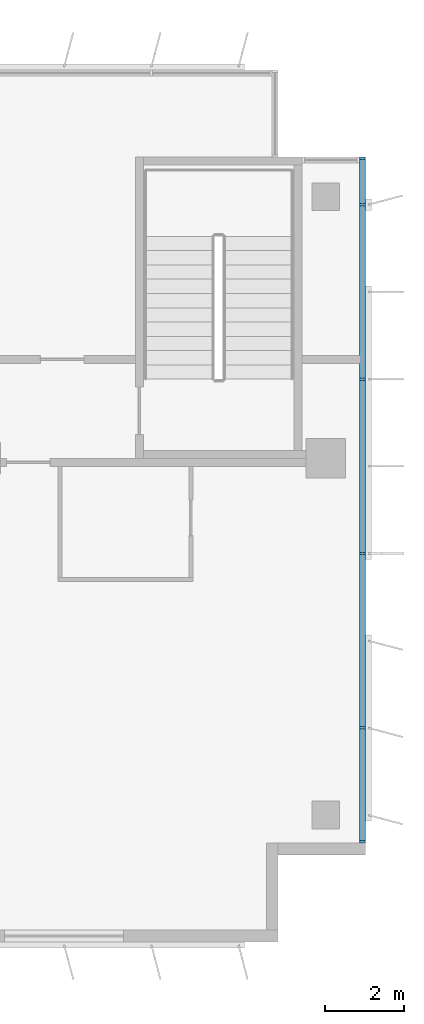
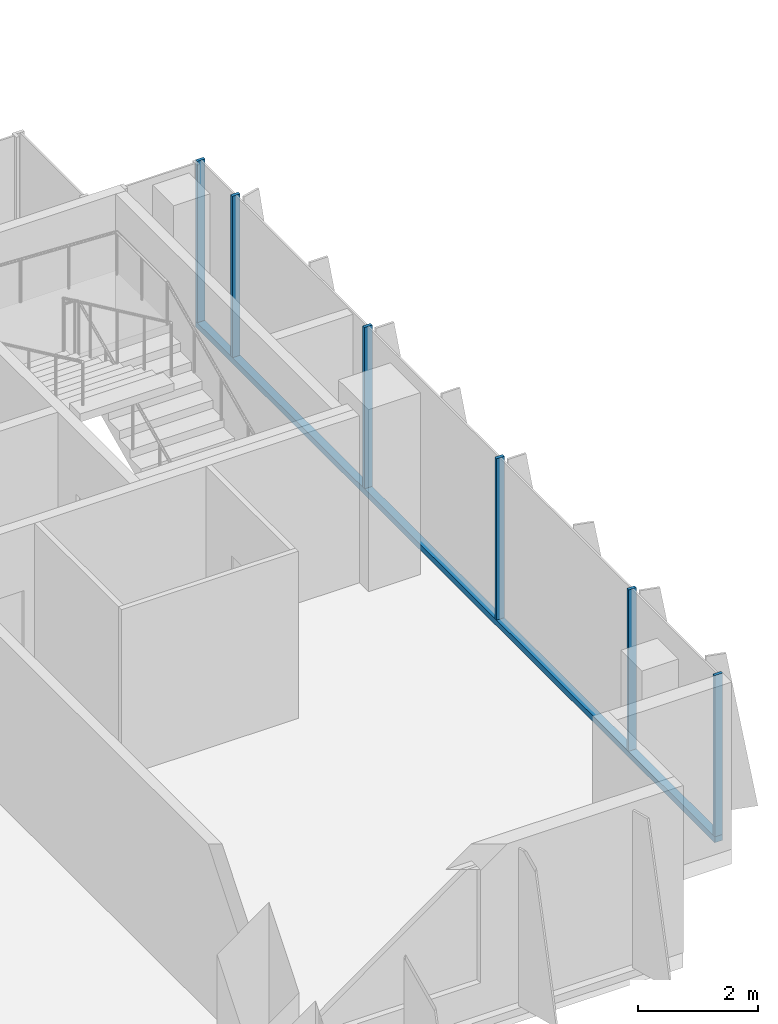
# One storey, part 8 of 21: 7 members, 1 element without a shape of its own.
"""IFC4 building model written with IfcOpenShell, lengths in metres."""

from ifc_helpers import new_model, si_unit, direction, frame, origin, origin_2d, place, context, subcontext, project, spatial, rectangle, extrude, source, transform, mapped, material, material_profile, profile_set, type_object, element, aggregate, save


model = new_model("IFC4")

# Units and contexts
model_context = context("Model", 3, precision=1e-05, world=origin(), true_north=direction((0.0, 1.0)))
body_context = subcontext(model_context, "Body", "Model", "MODEL_VIEW")
ifc_project = project(units=[si_unit("LENGTHUNIT", "METRE"), si_unit("AREAUNIT", "SQUARE_METRE"), si_unit("VOLUMEUNIT", "CUBIC_METRE"), si_unit("PLANEANGLEUNIT", "RADIAN"), si_unit("MASSUNIT", "GRAM", prefix="KILO")], contexts=[model_context])

# Site, building, storey
site_placement = place(None, origin())
site = spatial("IfcSite", under=ifc_project, at=site_placement, CompositionType="ELEMENT")
building_placement = place(site_placement, origin())
building = spatial("IfcBuilding", under=site, at=building_placement, Name="Kemantara Hotel Tower", CompositionType="ELEMENT")
storey_placement = place(building_placement, frame((0.0, 0.0, 171.60009765625)))
storey = spatial("IfcBuildingStorey", under=building, at=storey_placement, Name="L42", CompositionType="ELEMENT", Elevation=171.60009765625)

# Curtain wall, members
ifc_material_1 = material(Name="Low-E tinted double insulated glass 36 mm", Category="glass")
curtain_wall_type = type_object("IfcCurtainWallType", Name="TOWER CURTAIN WALL, FRONT FACES", PredefinedType="USERDEFINED", material=ifc_material_1)
curtain_wall_placement = place(storey_placement, origin())
curtain_wall = element("IfcCurtainWall", 1, at=curtain_wall_placement, inside=storey, type_object=curtain_wall_type, Name="CW4 L42 T3-R11-1", ObjectType="TOWER CURTAIN WALL, FRONT FACES", PredefinedType="USERDEFINED")
ifc_material_2 = material(Name="Aluminium 6063-T6 bronze anodised", Category="aluminium")
ifc_material_profile_1 = material_profile(ifc_material_2, rectangle(XDim=0.14990234375, YDim=0.1201171875, at=origin_2d()), Name="TOWER CURTAIN WALL, FRONT FACES TRANSOM")
ifc_profile_set_1 = profile_set([ifc_material_profile_1], Name="Aluminium 6063-T6 bronze anodised")
member_type_1 = type_object("IfcMemberType", Name="TOWER CURTAIN WALL, FRONT FACES TRANSOM", PredefinedType="USERDEFINED", material=ifc_profile_set_1)
member_1_placement = place(storey_placement, frame((63.52490234375, 2.5, 0.059814453125), z_axis=(0.0, 1.0, 0.0), x_axis=(-1.0, 0.0, 0.0)))
member_1 = element("IfcMember", 2, at=member_1_placement, type_object=member_type_1, Name="CW4 sill transom T3-R11-1", ObjectType="TRANSOM", PredefinedType="USERDEFINED", context=body_context, shape_type="SweptSolid", body=[
    extrude(rectangle(XDim=0.14990234375, YDim=0.1201171875, at=origin_2d()), origin(), (0.0, 0.0, 1.0), 17.300048828125),
])
ifc_material_profile_2 = material_profile(ifc_material_2, rectangle(XDim=0.14990234375, YDim=0.06005859375, at=origin_2d()), Name="TOWER CURTAIN WALL, FRONT FACES MULLION")
ifc_profile_set_2 = profile_set([ifc_material_profile_2], Name="Aluminium 6063-T6 bronze anodised")
member_type_2 = type_object("IfcMemberType", Name="TOWER CURTAIN WALL, FRONT FACES MULLION", PredefinedType="MULLION", material=ifc_profile_set_2)
shared_shape = source(origin(), body_context, "Body", "SweptSolid", [
    extrude(rectangle(XDim=0.14990234375, YDim=0.06005859375, at=origin_2d()), origin(), (0.0, 0.0, 1.0), 3.280029296875),
])
member_2_placement = place(storey_placement, frame((63.52490234375, 2.530029296875, 0.119873046875), z_axis=(0.0, 0.0, 1.0), x_axis=(-1.0, 0.0, 0.0)))
member_2 = element("IfcMember", 3, at=member_2_placement, type_object=member_type_2, Name="CW4 mullion T3-R11-1.1", PredefinedType="MULLION", context=body_context, shape_type="MappedRepresentation", body=[
    mapped(shared_shape, transform((0.0, 0.0, 0.0))),
])
member_3_placement = place(storey_placement, frame((63.52490234375, 5.39990234375, 0.119873046875), z_axis=(0.0, 0.0, 1.0), x_axis=(-1.0, 0.0, 0.0)))
member_3 = element("IfcMember", 4, at=member_3_placement, type_object=member_type_2, Name="CW4 mullion T3-R11-1.2", PredefinedType="MULLION", context=body_context, shape_type="MappedRepresentation", body=[
    mapped(shared_shape, transform((0.0, 0.0, 0.0))),
])
member_4_placement = place(storey_placement, frame((63.52490234375, 9.800048828125, 0.119873046875), z_axis=(0.0, 0.0, 1.0), x_axis=(-1.0, 0.0, 0.0)))
member_4 = element("IfcMember", 5, at=member_4_placement, type_object=member_type_2, Name="CW4 mullion T3-R11-1.3", PredefinedType="MULLION", context=body_context, shape_type="MappedRepresentation", body=[
    mapped(shared_shape, transform((0.0, 0.0, 0.0))),
])
member_5_placement = place(storey_placement, frame((63.52490234375, 14.199951171875, 0.119873046875), z_axis=(0.0, 0.0, 1.0), x_axis=(-1.0, 0.0, 0.0)))
member_5 = element("IfcMember", 6, at=member_5_placement, type_object=member_type_2, Name="CW4 mullion T3-R11-1.4", PredefinedType="MULLION", context=body_context, shape_type="MappedRepresentation", body=[
    mapped(shared_shape, transform((0.0, 0.0, 0.0))),
])
member_6_placement = place(storey_placement, frame((63.52490234375, 18.60009765625, 0.119873046875), z_axis=(0.0, 0.0, 1.0), x_axis=(-1.0, 0.0, 0.0)))
member_6 = element("IfcMember", 7, at=member_6_placement, type_object=member_type_2, Name="CW4 mullion T3-R11-1.5", PredefinedType="MULLION", context=body_context, shape_type="MappedRepresentation", body=[
    mapped(shared_shape, transform((0.0, 0.0, 0.0))),
])
member_7_placement = place(storey_placement, frame((63.52490234375, 19.77001953125, 0.119873046875), z_axis=(0.0, 0.0, 1.0), x_axis=(-1.0, 0.0, 0.0)))
member_7 = element("IfcMember", 8, at=member_7_placement, type_object=member_type_2, Name="CW4 mullion T3-R11-1.6", PredefinedType="MULLION", context=body_context, shape_type="MappedRepresentation", body=[
    mapped(shared_shape, transform((0.0, 0.0, 0.0))),
])
aggregate(curtain_wall, [member_1, member_2, member_3, member_4, member_5, member_6, member_7])

save(model, "model.ifc")
